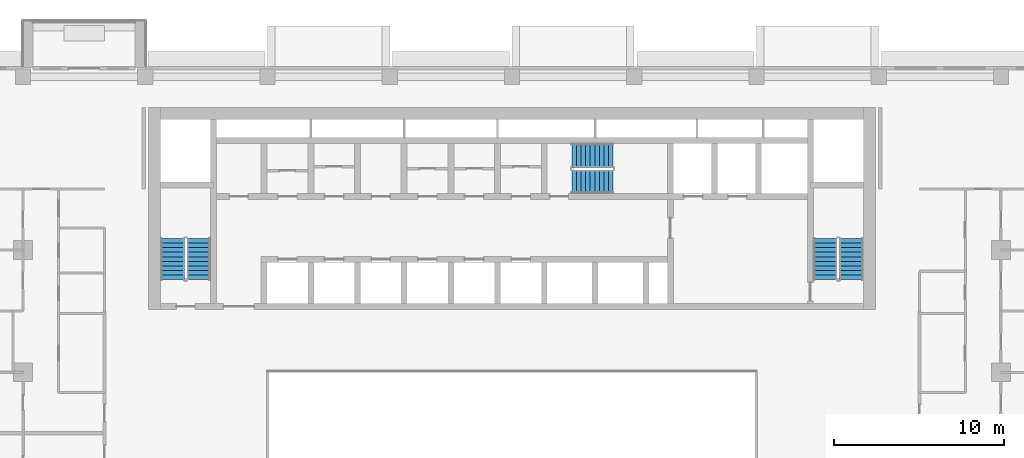
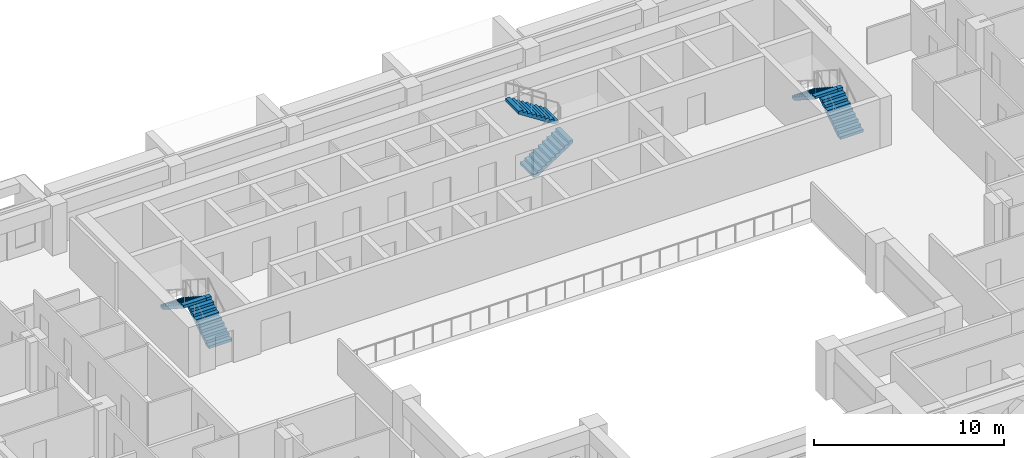
# One storey, part 13 of 20: 6 stair flights, 3 elements without a shape of their own.
"""IFC4 building model written with IfcOpenShell, lengths in metres."""

from ifc_helpers import new_model, si_unit, direction, frame, origin, place, context, subcontext, project, spatial, polyline, outline, extrude, material, layer, layer_set, type_object, element, aggregate, save


model = new_model("IFC4")

# Units and contexts
model_context = context("Model", 3, precision=1e-05, world=origin(), true_north=direction((0.0, 1.0)))
body_context = subcontext(model_context, "Body", "Model", "MODEL_VIEW")
ifc_project = project(units=[si_unit("LENGTHUNIT", "METRE"), si_unit("AREAUNIT", "SQUARE_METRE"), si_unit("VOLUMEUNIT", "CUBIC_METRE"), si_unit("PLANEANGLEUNIT", "RADIAN"), si_unit("MASSUNIT", "GRAM", prefix="KILO")], contexts=[model_context])

# Site, building, storey
site_placement = place(None, origin())
site = spatial("IfcSite", under=ifc_project, at=site_placement, CompositionType="ELEMENT")
building_placement = place(site_placement, origin())
building = spatial("IfcBuilding", under=site, at=building_placement, Name="Saffron Iwan Residences", CompositionType="ELEMENT")
storey_placement = place(building_placement, frame((0.0, 0.0, 127.0)))
storey = spatial("IfcBuildingStorey", under=building, at=storey_placement, Name="L33", CompositionType="ELEMENT", Elevation=127.0)

# Stair, stair flights
ifc_material = material(Name="Concrete C50/60", Category="concrete")
stair_type = type_object("IfcStairType", Name="Stair ST-CORE", PredefinedType="HALF_TURN_STAIR", material=ifc_material)
stair_1_placement = place(storey_placement, origin())
stair_1 = element("IfcStair", 1, at=stair_1_placement, inside=storey, type_object=stair_type, Name="L33 Exit Stair ST-W", PredefinedType="HALF_TURN_STAIR")
ifc_layer = layer(ifc_material, 0.14990234375)
ifc_layer_set = layer_set([ifc_layer], Name="Concrete C50/60")
stair_flight_type = type_object("IfcStairFlightType", Name="Stair flight SFL-RC", PredefinedType="STRAIGHT", material=ifc_layer_set)
stair_flight_1_placement = place(storey_placement, frame((31.949951171875, 67.85009765625, 0.0), z_axis=(0.0, 0.0, 1.0), x_axis=(0.0, 1.0, 0.0)))
stair_flight_1 = element("IfcStairFlight", 2, at=stair_flight_1_placement, type_object=stair_flight_type, Name="ST-W flight 1", NumberOfRisers=10, NumberOfTreads=9, PredefinedType="STRAIGHT", RiserHeight=0.175, TreadLength=0.27, context=body_context, shape_type="SweptSolid", body=[
    extrude(outline(polyline([(0.0, 0.0), (0.0, 0.175048828125), (0.27001953125, 0.175048828125), (0.27001953125, 0.35009765625), (0.5400390625, 0.35009765625), (0.5400390625, 0.52490234375), (0.81005859375, 0.52490234375), (0.81005859375, 0.699951171875), (1.080078125, 0.699951171875), (1.080078125, 0.875), (1.35009765625, 0.875), (1.35009765625, 1.050048828125), (1.6201171875, 1.050048828125), (1.6201171875, 1.22509765625), (1.889892578125, 1.22509765625), (1.889892578125, 1.39990234375), (2.159912109375, 1.39990234375), (2.159912109375, 1.574951171875), (2.429931640625, 1.574951171875), (2.429931640625, 1.75), (2.429931640625, 1.396484375), (0.275634765625, 0.0), (0.0, 0.0)])), frame((0.0, 0.699951171875, 0.0), z_axis=(0.0, -1.0, 0.0), x_axis=(1.0, 0.0, 0.0)), (0.0, 0.0, 1.0), 1.39990234375),
])
stair_flight_2_placement = place(storey_placement, frame((30.39990234375, 70.280029296875, 1.75), z_axis=(0.0, 0.0, 1.0), x_axis=(0.0, -1.0, 0.0)))
stair_flight_2 = element("IfcStairFlight", 3, at=stair_flight_2_placement, type_object=stair_flight_type, Name="ST-W flight 2", NumberOfRisers=10, NumberOfTreads=9, PredefinedType="STRAIGHT", RiserHeight=0.175, TreadLength=0.27, context=body_context, shape_type="SweptSolid", body=[
    extrude(outline(polyline([(0.0, 0.0), (0.0, 0.175048828125), (0.27001953125, 0.175048828125), (0.27001953125, 0.35009765625), (0.5400390625, 0.35009765625), (0.5400390625, 0.52490234375), (0.81005859375, 0.52490234375), (0.81005859375, 0.699951171875), (1.080078125, 0.699951171875), (1.080078125, 0.875), (1.35009765625, 0.875), (1.35009765625, 1.050048828125), (1.6201171875, 1.050048828125), (1.6201171875, 1.22509765625), (1.889892578125, 1.22509765625), (1.889892578125, 1.39990234375), (2.159912109375, 1.39990234375), (2.159912109375, 1.574951171875), (2.429931640625, 1.574951171875), (2.429931640625, 1.75), (2.429931640625, 1.396484375), (0.275634765625, 0.0), (0.0, 0.0)])), frame((0.0, 0.699951171875, 0.0), z_axis=(0.0, -1.0, 0.0), x_axis=(1.0, 0.0, 0.0)), (0.0, 0.0, 1.0), 1.39990234375),
])
aggregate(stair_1, [stair_flight_1, stair_flight_2])

stair_2_placement = place(storey_placement, origin())
stair_2 = element("IfcStair", 4, at=stair_2_placement, inside=storey, type_object=stair_type, Name="L33 Exit Stair ST-C", PredefinedType="HALF_TURN_STAIR")
stair_flight_3_placement = place(storey_placement, frame((53.925048828125, 73.625, 0.0), z_axis=(0.0, 0.0, 1.0), x_axis=(1.0, 0.0, 0.0)))
stair_flight_3 = element("IfcStairFlight", 5, at=stair_flight_3_placement, type_object=stair_flight_type, Name="ST-C flight 1", NumberOfRisers=10, NumberOfTreads=9, PredefinedType="STRAIGHT", RiserHeight=0.175, TreadLength=0.27, context=body_context, shape_type="SweptSolid", body=[
    extrude(outline(polyline([(0.0, 0.0), (0.0, 0.175048828125), (0.27001953125, 0.175048828125), (0.27001953125, 0.35009765625), (0.5400390625, 0.35009765625), (0.5400390625, 0.52490234375), (0.81005859375, 0.52490234375), (0.81005859375, 0.699951171875), (1.080078125, 0.699951171875), (1.080078125, 0.875), (1.35009765625, 0.875), (1.35009765625, 1.050048828125), (1.6201171875, 1.050048828125), (1.6201171875, 1.22509765625), (1.889892578125, 1.22509765625), (1.889892578125, 1.39990234375), (2.159912109375, 1.39990234375), (2.159912109375, 1.574951171875), (2.429931640625, 1.574951171875), (2.429931640625, 1.75), (2.429931640625, 1.396484375), (0.275634765625, 0.0), (0.0, 0.0)])), frame((0.0, 0.699951171875, 0.0), z_axis=(0.0, -1.0, 0.0), x_axis=(1.0, 0.0, 0.0)), (0.0, 0.0, 1.0), 1.39990234375),
])
stair_flight_4_placement = place(storey_placement, frame((56.35498046875, 75.175048828125, 1.75), z_axis=(0.0, 0.0, 1.0), x_axis=(-1.0, 0.0, 0.0)))
stair_flight_4 = element("IfcStairFlight", 6, at=stair_flight_4_placement, type_object=stair_flight_type, Name="ST-C flight 2", NumberOfRisers=10, NumberOfTreads=9, PredefinedType="STRAIGHT", RiserHeight=0.175, TreadLength=0.27, context=body_context, shape_type="SweptSolid", body=[
    extrude(outline(polyline([(0.0, 0.0), (0.0, 0.175048828125), (0.27001953125, 0.175048828125), (0.27001953125, 0.35009765625), (0.5400390625, 0.35009765625), (0.5400390625, 0.52490234375), (0.81005859375, 0.52490234375), (0.81005859375, 0.699951171875), (1.080078125, 0.699951171875), (1.080078125, 0.875), (1.35009765625, 0.875), (1.35009765625, 1.050048828125), (1.6201171875, 1.050048828125), (1.6201171875, 1.22509765625), (1.889892578125, 1.22509765625), (1.889892578125, 1.39990234375), (2.159912109375, 1.39990234375), (2.159912109375, 1.574951171875), (2.429931640625, 1.574951171875), (2.429931640625, 1.75), (2.429931640625, 1.396484375), (0.275634765625, 0.0), (0.0, 0.0)])), frame((0.0, 0.699951171875, 0.0), z_axis=(0.0, -1.0, 0.0), x_axis=(1.0, 0.0, 0.0)), (0.0, 0.0, 1.0), 1.39990234375),
])
aggregate(stair_2, [stair_flight_3, stair_flight_4])

stair_3_placement = place(storey_placement, origin())
stair_3 = element("IfcStair", 7, at=stair_3_placement, inside=storey, type_object=stair_type, Name="L33 Exit Stair ST-E", PredefinedType="HALF_TURN_STAIR")
stair_flight_5_placement = place(storey_placement, frame((70.39990234375, 67.85009765625, 0.0), z_axis=(0.0, 0.0, 1.0), x_axis=(0.0, 1.0, 0.0)))
stair_flight_5 = element("IfcStairFlight", 8, at=stair_flight_5_placement, type_object=stair_flight_type, Name="ST-E flight 1", NumberOfRisers=10, NumberOfTreads=9, PredefinedType="STRAIGHT", RiserHeight=0.175, TreadLength=0.27, context=body_context, shape_type="SweptSolid", body=[
    extrude(outline(polyline([(0.0, 0.0), (0.0, 0.175048828125), (0.27001953125, 0.175048828125), (0.27001953125, 0.35009765625), (0.5400390625, 0.35009765625), (0.5400390625, 0.52490234375), (0.81005859375, 0.52490234375), (0.81005859375, 0.699951171875), (1.080078125, 0.699951171875), (1.080078125, 0.875), (1.35009765625, 0.875), (1.35009765625, 1.050048828125), (1.6201171875, 1.050048828125), (1.6201171875, 1.22509765625), (1.889892578125, 1.22509765625), (1.889892578125, 1.39990234375), (2.159912109375, 1.39990234375), (2.159912109375, 1.574951171875), (2.429931640625, 1.574951171875), (2.429931640625, 1.75), (2.429931640625, 1.396484375), (0.275634765625, 0.0), (0.0, 0.0)])), frame((0.0, 0.699951171875, 0.0), z_axis=(0.0, -1.0, 0.0), x_axis=(1.0, 0.0, 0.0)), (0.0, 0.0, 1.0), 1.39990234375),
])
stair_flight_6_placement = place(storey_placement, frame((68.85009765625, 70.280029296875, 1.75), z_axis=(0.0, 0.0, 1.0), x_axis=(0.0, -1.0, 0.0)))
stair_flight_6 = element("IfcStairFlight", 9, at=stair_flight_6_placement, type_object=stair_flight_type, Name="ST-E flight 2", NumberOfRisers=10, NumberOfTreads=9, PredefinedType="STRAIGHT", RiserHeight=0.175, TreadLength=0.27, context=body_context, shape_type="SweptSolid", body=[
    extrude(outline(polyline([(0.0, 0.0), (0.0, 0.175048828125), (0.27001953125, 0.175048828125), (0.27001953125, 0.35009765625), (0.5400390625, 0.35009765625), (0.5400390625, 0.52490234375), (0.81005859375, 0.52490234375), (0.81005859375, 0.699951171875), (1.080078125, 0.699951171875), (1.080078125, 0.875), (1.35009765625, 0.875), (1.35009765625, 1.050048828125), (1.6201171875, 1.050048828125), (1.6201171875, 1.22509765625), (1.889892578125, 1.22509765625), (1.889892578125, 1.39990234375), (2.159912109375, 1.39990234375), (2.159912109375, 1.574951171875), (2.429931640625, 1.574951171875), (2.429931640625, 1.75), (2.429931640625, 1.396484375), (0.275634765625, 0.0), (0.0, 0.0)])), frame((0.0, 0.699951171875, 0.0), z_axis=(0.0, -1.0, 0.0), x_axis=(1.0, 0.0, 0.0)), (0.0, 0.0, 1.0), 1.39990234375),
])
aggregate(stair_3, [stair_flight_5, stair_flight_6])

save(model, "model.ifc")
